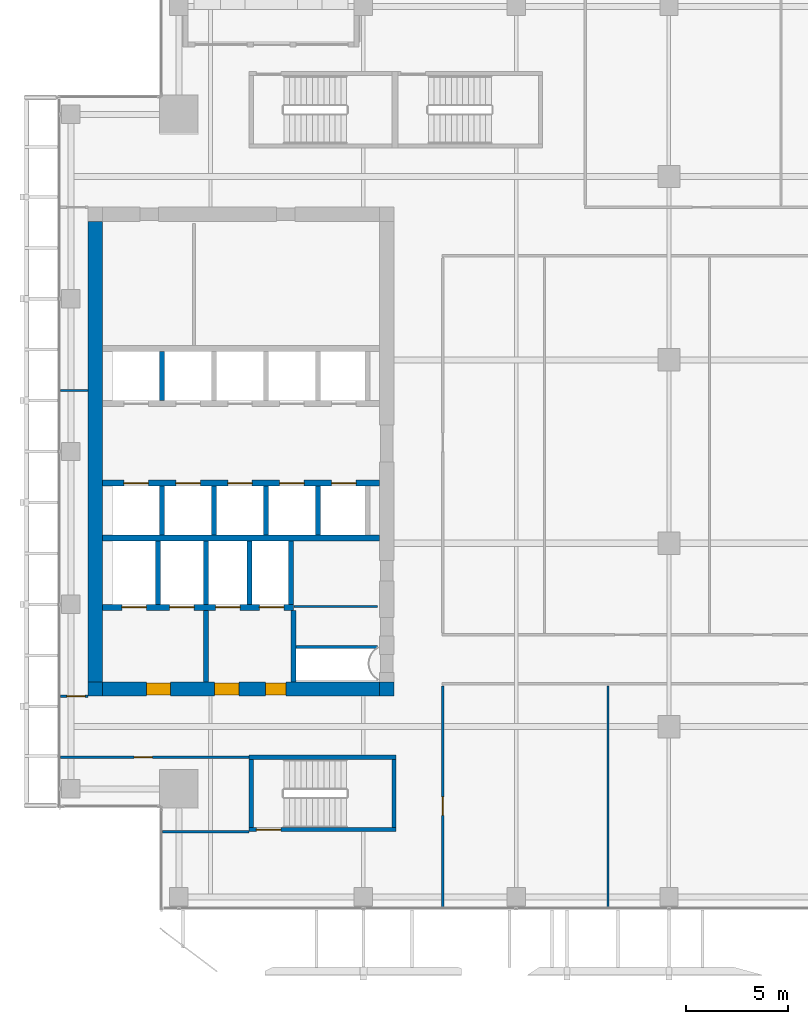
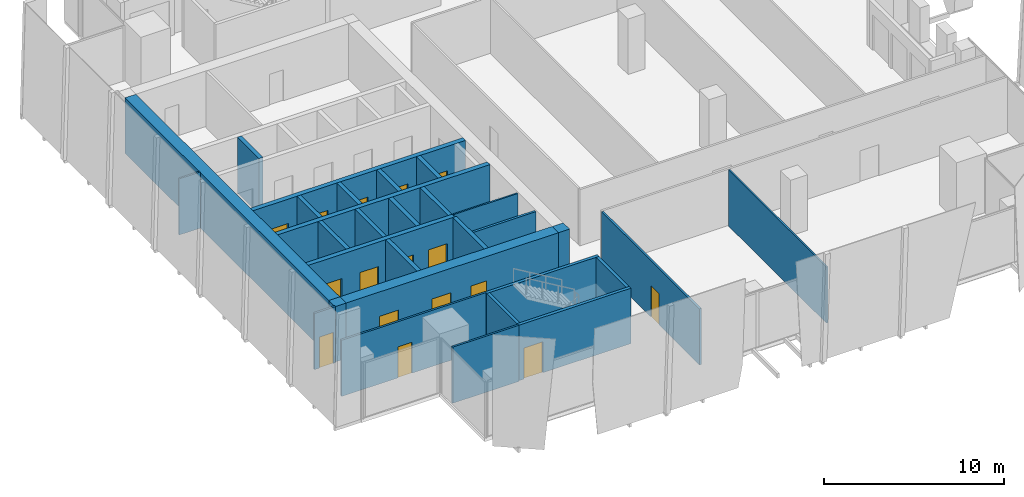
# One storey, part 28 of 35: 30 walls, 16 doors, 16 openings.
"""IFC4 building model written with IfcOpenShell, lengths in metres."""

from ifc_helpers import new_model, si_unit, direction, frame, frame_2d, origin, place, context, subcontext, project, spatial, rectangle, extrude, source, transform, mapped, material, layer, layer_set, type_object, element, fill, save


model = new_model("IFC4")

# Units and contexts
model_context = context("Model", 3, precision=1e-05, world=origin(), true_north=direction((0.0, 1.0)))
body_context = subcontext(model_context, "Body", "Model", "MODEL_VIEW")
ifc_project = project(units=[si_unit("LENGTHUNIT", "METRE"), si_unit("AREAUNIT", "SQUARE_METRE"), si_unit("VOLUMEUNIT", "CUBIC_METRE"), si_unit("PLANEANGLEUNIT", "RADIAN"), si_unit("MASSUNIT", "GRAM", prefix="KILO")], contexts=[model_context])

# Site, building, storey
site_placement = place(None, origin())
site = spatial("IfcSite", under=ifc_project, at=site_placement, CompositionType="ELEMENT")
building_placement = place(site_placement, origin())
building = spatial("IfcBuilding", under=site, at=building_placement, Name="Khomas Fold Tower", CompositionType="ELEMENT")
storey_placement = place(building_placement, frame((0.0, 0.0, 258.199951171875)))
storey = spatial("IfcBuildingStorey", under=building, at=storey_placement, Name="L58", CompositionType="ELEMENT", Elevation=258.199951171875)

# Wall
ifc_material_1 = material(Name="Concrete C50/60", Category="concrete")
ifc_layer_1 = layer(ifc_material_1, 0.199951171875)
ifc_layer_set_1 = layer_set([ifc_layer_1], Name="Concrete C50/60")
wall_type_1 = type_object("IfcWallType", Name="Stair wall 200", PredefinedType="SHEAR", material=ifc_layer_set_1)
shared_shape_1 = source(origin(), body_context, "Body", "SweptSolid", [
    extrude(rectangle(XDim=7.2001953125, YDim=0.199951171875, at=frame_2d((3.60009765625, 0.0))), origin(), (0.0, 0.0, 1.0), 3.75),
])
wall_1_placement = place(storey_placement, frame((13.89990234375, 12.0, 0.0), z_axis=(0.0, 0.0, 1.0), x_axis=(1.0, 0.0, 0.0)))
element("IfcWall", 1, at=wall_1_placement, inside=storey, type_object=wall_type_1, Name="Stair wall SW-ST2-NH", PredefinedType="SHEAR", context=body_context, shape_type="MappedRepresentation", body=[
    mapped(shared_shape_1, transform((0.0, 0.0, 0.0))),
])

# Wall, opening, door
wall_2_placement = place(storey_placement, frame((13.89990234375, 8.449951171875, 0.0), z_axis=(0.0, 0.0, 1.0), x_axis=(1.0, 0.0, 0.0)))
wall_2 = element("IfcWall", 2, at=wall_2_placement, inside=storey, type_object=wall_type_1, Name="Stair wall SW-ST2-S", PredefinedType="SHEAR", context=body_context, shape_type="MappedRepresentation", body=[
    mapped(shared_shape_1, transform((0.0, 0.0, 0.0))),
])
shared_shape_2 = source(origin(), body_context, "Body", "SweptSolid", [
    extrude(rectangle(XDim=1.199951171875, YDim=2.10009765625, at=frame_2d((0.60009765625, 1.050048828125))), frame((0.0, 0.10986328125, 0.0), z_axis=(0.0, -1.0, 0.0), x_axis=(1.0, 0.0, 0.0)), (0.0, 0.0, 1.0), 0.219970703125),
])
opening_1_placement = place(wall_2_placement, frame((0.35009765625, 0.0, 0.0)))
opening_1 = element("IfcOpeningElement", 3, at=opening_1_placement, cuts=wall_2, Name="Opening SD-ST2", PredefinedType="OPENING", context=body_context, shape_type="MappedRepresentation", body=[
    mapped(shared_shape_2, transform((0.0, 0.0, 0.0))),
])
ifc_material_2 = material(Name="Steel door leaf", Category="steel")
door_type_1 = type_object("IfcDoorType", Name="Stair door 1200x2100 right-hand", OperationType="SINGLE_SWING_RIGHT", PredefinedType="DOOR", material=ifc_material_2)
shared_shape_3 = source(origin(), body_context, "Body", "SweptSolid", [
    extrude(rectangle(XDim=1.199951171875, YDim=2.10009765625, at=frame_2d((0.60009765625, 1.050048828125))), frame((0.0, 0.02490234375, 0.0), z_axis=(0.0, -1.0, 0.0), x_axis=(1.0, 0.0, 0.0)), (0.0, 0.0, 1.0), 0.050048828125),
])
door_1_placement = place(opening_1_placement, origin())
door_1 = element("IfcDoor", 4, at=door_1_placement, inside=storey, type_object=door_type_1, Name="Stair door", OperationType="SINGLE_SWING_RIGHT", OverallHeight=2.10009765625, OverallWidth=1.199951171875, PredefinedType="DOOR", context=body_context, shape_type="MappedRepresentation", body=[
    mapped(shared_shape_3, transform((0.0, 0.0, 0.0))),
])
fill(opening_1, door_1)

# Walls
shared_shape_4 = source(origin(), body_context, "Body", "SweptSolid", [
    extrude(rectangle(XDim=3.349853515625, YDim=0.199951171875, at=frame_2d((1.6748046875, 0.0))), origin(), (0.0, 0.0, 1.0), 3.75),
])
for number, where, z_axis, x_axis, name in (
    (5, (21.0, 8.550048828125, 0.0), (0.0, 0.0, 1.0), (0.0, 1.0, 0.0), "Stair wall SW-ST2-E"),
    (6, (14.0, 8.550048828125, 0.0), (0.0, 0.0, 1.0), (0.0, 1.0, 0.0), "Stair wall SW-ST2-W"),
):
    element("IfcWall", number, at=place(storey_placement, frame(where, z_axis=z_axis, x_axis=x_axis)), inside=storey, type_object=wall_type_1, Name=name, PredefinedType="SHEAR", context=body_context, shape_type="MappedRepresentation", body=[
        mapped(shared_shape_4, transform((0.0, 0.0, 0.0))),
    ])
ifc_material_3 = material(Name="Concrete C50/60", Category="concrete")
ifc_layer_2 = layer(ifc_material_3, 0.25)
ifc_layer_set_2 = layer_set([ifc_layer_2], Name="Concrete C50/60")
wall_type_2 = type_object("IfcWallType", Name="Shaft wall 250", PredefinedType="STANDARD", material=ifc_layer_set_2)
shared_shape_5 = source(origin(), body_context, "Body", "SweptSolid", [
    extrude(rectangle(XDim=3.10009765625, YDim=0.25, at=frame_2d((1.550048828125, 0.0))), origin(), (0.0, 0.0, 1.0), 3.75),
])
for number, where, z_axis, x_axis, name in (
    (7, (9.425048828125, 19.5, 0.0), (0.0, 0.0, 1.0), (0.0, 1.0, 0.0), "Core wall SW-FS-P1"),
    (8, (11.77490234375, 19.5, 0.0), (0.0, 0.0, 1.0), (0.0, 1.0, 0.0), "Core wall SW-FS-P2"),
    (9, (13.925048828125, 19.5, 0.0), (0.0, 0.0, 1.0), (0.0, 1.0, 0.0), "Core wall SW-FS-P3"),
    (10, (15.949951171875, 19.5, 0.0), (0.0, 0.0, 1.0), (0.0, 1.0, 0.0), "Core wall SW-FS-PE"),
):
    element("IfcWall", number, at=place(storey_placement, frame(where, z_axis=z_axis, x_axis=x_axis)), inside=storey, type_object=wall_type_2, Name=name, PredefinedType="STANDARD", context=body_context, shape_type="MappedRepresentation", body=[
        mapped(shared_shape_5, transform((0.0, 0.0, 0.0))),
    ])
shared_shape_6 = source(origin(), body_context, "Body", "SweptSolid", [
    extrude(rectangle(XDim=2.39990234375, YDim=0.25, at=frame_2d((1.199951171875, 0.0))), origin(), (0.0, 0.0, 1.0), 3.75),
])
wall_3_placement = place(storey_placement, frame((9.625, 29.5, 0.0), z_axis=(0.0, 0.0, 1.0), x_axis=(0.0, 1.0, 0.0)))
element("IfcWall", 11, at=wall_3_placement, inside=storey, type_object=wall_type_2, Name="Core wall SW-HRN-P1", PredefinedType="STANDARD", context=body_context, shape_type="MappedRepresentation", body=[
    mapped(shared_shape_6, transform((0.0, 0.0, 0.0))),
])
shared_shape_7 = source(origin(), body_context, "Body", "SweptSolid", [
    extrude(rectangle(XDim=2.400146484375, YDim=0.25, at=frame_2d((1.2001953125, 0.0))), origin(), (0.0, 0.0, 1.0), 3.75),
])
for number, where, z_axis, x_axis, name in (
    (12, (17.27490234375, 22.89990234375, 0.0), (0.0, 0.0, 1.0), (0.0, 1.0, 0.0), "Core wall SW-HRS-MR-P1"),
    (13, (9.625, 22.89990234375, 0.0), (0.0, 0.0, 1.0), (0.0, 1.0, 0.0), "Core wall SW-HRS-P1"),
    (14, (12.175048828125, 22.89990234375, 0.0), (0.0, 0.0, 1.0), (0.0, 1.0, 0.0), "Core wall SW-HRS-P2"),
    (15, (14.72509765625, 22.89990234375, 0.0), (0.0, 0.0, 1.0), (0.0, 1.0, 0.0), "Core wall SW-HRS-PE"),
):
    element("IfcWall", number, at=place(storey_placement, frame(where, z_axis=z_axis, x_axis=x_axis)), inside=storey, type_object=wall_type_2, Name=name, PredefinedType="STANDARD", context=body_context, shape_type="MappedRepresentation", body=[
        mapped(shared_shape_7, transform((0.0, 0.0, 0.0))),
    ])

# Wall, openings, doors
ifc_material_4 = material(Name="Concrete C60/75", Category="concrete")
ifc_layer_3 = layer(ifc_material_4, 0.699951171875)
ifc_layer_set_3 = layer_set([ifc_layer_3], Name="Concrete C60/75")
wall_type_3 = type_object("IfcWallType", Name="Core wall 700", PredefinedType="SHEAR", material=ifc_layer_set_3)
shared_shape_8 = source(origin(), body_context, "Body", "SweptSolid", [
    extrude(rectangle(XDim=13.60009765625, YDim=0.699951171875, at=frame_2d((6.800048828125, 0.0))), origin(), (0.0, 0.0, 1.0), 3.75),
])
wall_4_placement = place(storey_placement, frame((6.699951171875, 15.35009765625, 0.0), z_axis=(0.0, 0.0, 1.0), x_axis=(1.0, 0.0, 0.0)))
wall_4 = element("IfcWall", 16, at=wall_4_placement, inside=storey, type_object=wall_type_3, Name="Core wall CW-U-S-L49", PredefinedType="SHEAR", context=body_context, shape_type="MappedRepresentation", body=[
    mapped(shared_shape_8, transform((0.0, 0.0, 0.0))),
])
shared_shape_9 = source(origin(), body_context, "Body", "SweptSolid", [
    extrude(rectangle(XDim=1.199951171875, YDim=2.10009765625, at=frame_2d((0.60009765625, 1.050048828125))), frame((0.0, 0.35986328125, 0.0), z_axis=(0.0, -1.0, 0.0), x_axis=(1.0, 0.0, 0.0)), (0.0, 0.0, 1.0), 0.719970703125),
])
opening_2_placement = place(wall_4_placement, frame((5.5, 0.0, 0.0)))
opening_2 = element("IfcOpeningElement", 17, at=opening_2_placement, cuts=wall_4, Name="Opening 0009", PredefinedType="OPENING", context=body_context, shape_type="MappedRepresentation", body=[
    mapped(shared_shape_9, transform((0.0, 0.0, 0.0))),
])
opening_3_placement = place(wall_4_placement, frame((2.14990234375, 0.0, 0.0)))
opening_3 = element("IfcOpeningElement", 18, at=opening_3_placement, cuts=wall_4, Name="Opening 0009", PredefinedType="OPENING", context=body_context, shape_type="MappedRepresentation", body=[
    mapped(shared_shape_9, transform((0.0, 0.0, 0.0))),
])
shared_shape_10 = source(origin(), body_context, "Body", "SweptSolid", [
    extrude(rectangle(XDim=1.0, YDim=2.10009765625, at=frame_2d((0.5, 1.050048828125))), frame((0.0, 0.35986328125, 0.0), z_axis=(0.0, -1.0, 0.0), x_axis=(1.0, 0.0, 0.0)), (0.0, 0.0, 1.0), 0.719970703125),
])
opening_4_placement = place(wall_4_placement, frame((8.0, 0.0, 0.0)))
opening_4 = element("IfcOpeningElement", 19, at=opening_4_placement, cuts=wall_4, Name="Opening 0010", PredefinedType="OPENING", context=body_context, shape_type="MappedRepresentation", body=[
    mapped(shared_shape_10, transform((0.0, 0.0, 0.0))),
])
ifc_material_5 = material(Name="Steel door leaf", Category="steel")
door_type_2 = type_object("IfcDoorType", Name="Lobby door 1200x2100 right-hand", OperationType="SINGLE_SWING_RIGHT", PredefinedType="DOOR", material=ifc_material_5)
shared_shape_11 = source(origin(), body_context, "Body", "SweptSolid", [
    extrude(rectangle(XDim=1.199951171875, YDim=2.10009765625, at=frame_2d((0.60009765625, 1.050048828125))), frame((0.0, 0.2998046875, 0.0), z_axis=(0.0, -1.0, 0.0), x_axis=(1.0, 0.0, 0.0)), (0.0, 0.0, 1.0), 0.599853515625),
])
door_2_placement = place(opening_2_placement, origin())
door_2 = element("IfcDoor", 20, at=door_2_placement, inside=storey, type_object=door_type_2, Name="Lobby door", OperationType="SINGLE_SWING_RIGHT", OverallHeight=2.10009765625, OverallWidth=1.199951171875, PredefinedType="DOOR", context=body_context, shape_type="MappedRepresentation", body=[
    mapped(shared_shape_11, transform((0.0, 0.0, 0.0))),
])
fill(opening_2, door_2)
door_3_placement = place(opening_3_placement, origin())
door_3 = element("IfcDoor", 21, at=door_3_placement, inside=storey, type_object=door_type_2, Name="Lobby door", OperationType="SINGLE_SWING_RIGHT", OverallHeight=2.10009765625, OverallWidth=1.199951171875, PredefinedType="DOOR", context=body_context, shape_type="MappedRepresentation", body=[
    mapped(shared_shape_11, transform((0.0, 0.0, 0.0))),
])
fill(opening_3, door_3)
ifc_material_6 = material(Name="Steel door leaf", Category="steel")
door_type_3 = type_object("IfcDoorType", Name="Stair door 1000x2100 right-hand", OperationType="SINGLE_SWING_RIGHT", PredefinedType="DOOR", material=ifc_material_6)
shared_shape_12 = source(origin(), body_context, "Body", "SweptSolid", [
    extrude(rectangle(XDim=1.0, YDim=2.10009765625, at=frame_2d((0.5, 1.050048828125))), frame((0.0, 0.2998046875, 0.0), z_axis=(0.0, -1.0, 0.0), x_axis=(1.0, 0.0, 0.0)), (0.0, 0.0, 1.0), 0.599853515625),
])
door_4_placement = place(opening_4_placement, origin())
door_4 = element("IfcDoor", 22, at=door_4_placement, inside=storey, type_object=door_type_3, Name="Stair door", OperationType="SINGLE_SWING_RIGHT", OverallHeight=2.10009765625, OverallWidth=1.0, PredefinedType="DOOR", context=body_context, shape_type="MappedRepresentation", body=[
    mapped(shared_shape_12, transform((0.0, 0.0, 0.0))),
])
fill(opening_4, door_4)

# Walls
ifc_material_7 = material(Name="Concrete C60/75", Category="concrete")
ifc_layer_4 = layer(ifc_material_7, 0.699951171875)
ifc_layer_set_4 = layer_set([ifc_layer_4], Name="Concrete C60/75")
wall_type_4 = type_object("IfcWallType", Name="Core corner wall 700", PredefinedType="SHEAR", material=ifc_layer_set_4)
shared_shape_13 = source(origin(), body_context, "Body", "SweptSolid", [
    extrude(rectangle(XDim=0.699951171875, YDim=0.699951171875, at=frame_2d((0.35009765625, 0.0))), origin(), (0.0, 0.0, 1.0), 3.75),
])
for number, where, z_axis, x_axis, name in (
    (23, (20.300048828125, 15.35009765625, 0.0), (0.0, 0.0, 1.0), (1.0, 0.0, 0.0), "Core wall CW-U-SE-L49"),
    (24, (6.0, 15.35009765625, 0.0), (0.0, 0.0, 1.0), (1.0, 0.0, 0.0), "Core wall CW-U-SW-L49"),
):
    element("IfcWall", number, at=place(storey_placement, frame(where, z_axis=z_axis, x_axis=x_axis)), inside=storey, type_object=wall_type_4, Name=name, PredefinedType="SHEAR", context=body_context, shape_type="MappedRepresentation", body=[
        mapped(shared_shape_13, transform((0.0, 0.0, 0.0))),
    ])
shared_shape_14 = source(origin(), body_context, "Body", "SweptSolid", [
    extrude(rectangle(XDim=22.60009765625, YDim=0.699951171875, at=frame_2d((11.300048828125, 0.0))), origin(), (0.0, 0.0, 1.0), 3.75),
])
wall_5_placement = place(storey_placement, frame((6.35009765625, 15.699951171875, 0.0), z_axis=(0.0, 0.0, 1.0), x_axis=(0.0, 1.0, 0.0)))
element("IfcWall", 25, at=wall_5_placement, inside=storey, type_object=wall_type_3, Name="Core wall CW-U-W-L49", PredefinedType="SHEAR", context=body_context, shape_type="MappedRepresentation", body=[
    mapped(shared_shape_14, transform((0.0, 0.0, 0.0))),
])
ifc_material_8 = material(Name="Concrete C50/60", Category="concrete")
ifc_layer_5 = layer(ifc_material_8, 0.300048828125)
ifc_layer_set_5 = layer_set([ifc_layer_5], Name="Concrete C50/60")
wall_type_5 = type_object("IfcWallType", Name="Shaft wall 300", PredefinedType="STANDARD", material=ifc_layer_set_5)
shared_shape_15 = source(origin(), body_context, "Body", "SweptSolid", [
    extrude(rectangle(XDim=13.60009765625, YDim=0.300048828125, at=frame_2d((6.800048828125, 0.0))), origin(), (0.0, 0.0, 1.0), 3.75),
])
wall_6_placement = place(storey_placement, frame((6.699951171875, 22.75, 0.0), z_axis=(0.0, 0.0, 1.0), x_axis=(1.0, 0.0, 0.0)))
element("IfcWall", 26, at=wall_6_placement, inside=storey, type_object=wall_type_5, Name="Core wall SW-FS-B", PredefinedType="STANDARD", context=body_context, shape_type="MappedRepresentation", body=[
    mapped(shared_shape_15, transform((0.0, 0.0, 0.0))),
])

# Wall, openings, doors
wall_7_placement = place(storey_placement, frame((6.699951171875, 25.449951171875, 0.0), z_axis=(0.0, 0.0, 1.0), x_axis=(1.0, 0.0, 0.0)))
wall_7 = element("IfcWall", 27, at=wall_7_placement, inside=storey, type_object=wall_type_5, Name="Core wall SW-HRS-F", PredefinedType="STANDARD", context=body_context, shape_type="MappedRepresentation", body=[
    mapped(shared_shape_15, transform((0.0, 0.0, 0.0))),
])
shared_shape_16 = source(origin(), body_context, "Body", "SweptSolid", [
    extrude(rectangle(XDim=1.199951171875, YDim=2.10009765625, at=frame_2d((0.60009765625, 1.050048828125))), frame((0.0, 0.159912109375, 0.0), z_axis=(0.0, -1.0, 0.0), x_axis=(1.0, 0.0, 0.0)), (0.0, 0.0, 1.0), 0.320068359375),
])
opening_5_placement = place(wall_7_placement, frame((1.050048828125, 0.0, 0.0)))
opening_5 = element("IfcOpeningElement", 28, at=opening_5_placement, cuts=wall_7, Name="Opening LD-HR1", PredefinedType="OPENING", context=body_context, shape_type="MappedRepresentation", body=[
    mapped(shared_shape_16, transform((0.0, 0.0, 0.0))),
])
opening_6_placement = place(wall_7_placement, frame((3.60009765625, 0.0, 0.0)))
opening_6 = element("IfcOpeningElement", 29, at=opening_6_placement, cuts=wall_7, Name="Opening LD-HR2", PredefinedType="OPENING", context=body_context, shape_type="MappedRepresentation", body=[
    mapped(shared_shape_16, transform((0.0, 0.0, 0.0))),
])
opening_7_placement = place(wall_7_placement, frame((6.14990234375, 0.0, 0.0)))
opening_7 = element("IfcOpeningElement", 30, at=opening_7_placement, cuts=wall_7, Name="Opening LD-HR3", PredefinedType="OPENING", context=body_context, shape_type="MappedRepresentation", body=[
    mapped(shared_shape_16, transform((0.0, 0.0, 0.0))),
])
opening_8_placement = place(wall_7_placement, frame((8.699951171875, 0.0, 0.0)))
opening_8 = element("IfcOpeningElement", 31, at=opening_8_placement, cuts=wall_7, Name="Opening LD-MR1", PredefinedType="OPENING", context=body_context, shape_type="MappedRepresentation", body=[
    mapped(shared_shape_16, transform((0.0, 0.0, 0.0))),
])
opening_9_placement = place(wall_7_placement, frame((11.25, 0.0, 0.0)))
opening_9 = element("IfcOpeningElement", 32, at=opening_9_placement, cuts=wall_7, Name="Opening LD-MR2", PredefinedType="OPENING", context=body_context, shape_type="MappedRepresentation", body=[
    mapped(shared_shape_16, transform((0.0, 0.0, 0.0))),
])
ifc_material_9 = material(Name="Steel door leaf", Category="steel")
door_type_4 = type_object("IfcDoorType", Name="Landing door 1200x2100", OperationType="DOUBLE_DOOR_SLIDING", PredefinedType="DOOR", material=ifc_material_9)
door_5_placement = place(opening_5_placement, origin())
door_5 = element("IfcDoor", 33, at=door_5_placement, inside=storey, type_object=door_type_4, Name="Lift landing door", OperationType="DOUBLE_DOOR_SLIDING", OverallHeight=2.10009765625, OverallWidth=1.199951171875, PredefinedType="DOOR", context=body_context, shape_type="MappedRepresentation", body=[
    mapped(shared_shape_3, transform((0.0, 0.0, 0.0))),
])
fill(opening_5, door_5)
door_6_placement = place(opening_6_placement, origin())
door_6 = element("IfcDoor", 34, at=door_6_placement, inside=storey, type_object=door_type_4, Name="Lift landing door", OperationType="DOUBLE_DOOR_SLIDING", OverallHeight=2.10009765625, OverallWidth=1.199951171875, PredefinedType="DOOR", context=body_context, shape_type="MappedRepresentation", body=[
    mapped(shared_shape_3, transform((0.0, 0.0, 0.0))),
])
fill(opening_6, door_6)
door_7_placement = place(opening_7_placement, origin())
door_7 = element("IfcDoor", 35, at=door_7_placement, inside=storey, type_object=door_type_4, Name="Lift landing door", OperationType="DOUBLE_DOOR_SLIDING", OverallHeight=2.10009765625, OverallWidth=1.199951171875, PredefinedType="DOOR", context=body_context, shape_type="MappedRepresentation", body=[
    mapped(shared_shape_3, transform((0.0, 0.0, 0.0))),
])
fill(opening_7, door_7)
door_8_placement = place(opening_8_placement, origin())
door_8 = element("IfcDoor", 36, at=door_8_placement, inside=storey, type_object=door_type_4, Name="Lift landing door", OperationType="DOUBLE_DOOR_SLIDING", OverallHeight=2.10009765625, OverallWidth=1.199951171875, PredefinedType="DOOR", context=body_context, shape_type="MappedRepresentation", body=[
    mapped(shared_shape_3, transform((0.0, 0.0, 0.0))),
])
fill(opening_8, door_8)
door_9_placement = place(opening_9_placement, origin())
door_9 = element("IfcDoor", 37, at=door_9_placement, inside=storey, type_object=door_type_4, Name="Lift landing door", OperationType="DOUBLE_DOOR_SLIDING", OverallHeight=2.10009765625, OverallWidth=1.199951171875, PredefinedType="DOOR", context=body_context, shape_type="MappedRepresentation", body=[
    mapped(shared_shape_3, transform((0.0, 0.0, 0.0))),
])
fill(opening_9, door_9)

shared_shape_17 = source(origin(), body_context, "Body", "SweptSolid", [
    extrude(rectangle(XDim=9.375, YDim=0.300048828125, at=frame_2d((4.6875, 0.0))), origin(), (0.0, 0.0, 1.0), 3.75),
])
wall_8_placement = place(storey_placement, frame((6.699951171875, 19.35009765625, 0.0), z_axis=(0.0, 0.0, 1.0), x_axis=(1.0, 0.0, 0.0)))
wall_8 = element("IfcWall", 38, at=wall_8_placement, inside=storey, type_object=wall_type_5, Name="Core wall SW-FS-F", PredefinedType="STANDARD", context=body_context, shape_type="MappedRepresentation", body=[
    mapped(shared_shape_17, transform((0.0, 0.0, 0.0))),
])
opening_10_placement = place(wall_8_placement, frame((0.949951171875, 0.0, 0.0)))
opening_10 = element("IfcOpeningElement", 39, at=opening_10_placement, cuts=wall_8, Name="Opening LD-SV1", PredefinedType="OPENING", context=body_context, shape_type="MappedRepresentation", body=[
    mapped(shared_shape_16, transform((0.0, 0.0, 0.0))),
])
opening_11_placement = place(wall_8_placement, frame((3.300048828125, 0.0, 0.0)))
opening_11 = element("IfcOpeningElement", 40, at=opening_11_placement, cuts=wall_8, Name="Opening LD-SV2", PredefinedType="OPENING", context=body_context, shape_type="MappedRepresentation", body=[
    mapped(shared_shape_16, transform((0.0, 0.0, 0.0))),
])
opening_12_placement = place(wall_8_placement, frame((5.550048828125, 0.0, 0.0)))
opening_12 = element("IfcOpeningElement", 41, at=opening_12_placement, cuts=wall_8, Name="Opening LD-FF1", PredefinedType="OPENING", context=body_context, shape_type="MappedRepresentation", body=[
    mapped(shared_shape_16, transform((0.0, 0.0, 0.0))),
])
opening_13_placement = place(wall_8_placement, frame((7.699951171875, 0.0, 0.0)))
opening_13 = element("IfcOpeningElement", 42, at=opening_13_placement, cuts=wall_8, Name="Opening LD-FF2", PredefinedType="OPENING", context=body_context, shape_type="MappedRepresentation", body=[
    mapped(shared_shape_16, transform((0.0, 0.0, 0.0))),
])
door_10_placement = place(opening_10_placement, origin())
door_10 = element("IfcDoor", 43, at=door_10_placement, inside=storey, type_object=door_type_4, Name="Lift landing door", OperationType="DOUBLE_DOOR_SLIDING", OverallHeight=2.10009765625, OverallWidth=1.199951171875, PredefinedType="DOOR", context=body_context, shape_type="MappedRepresentation", body=[
    mapped(shared_shape_3, transform((0.0, 0.0, 0.0))),
])
fill(opening_10, door_10)
door_11_placement = place(opening_11_placement, origin())
door_11 = element("IfcDoor", 44, at=door_11_placement, inside=storey, type_object=door_type_4, Name="Lift landing door", OperationType="DOUBLE_DOOR_SLIDING", OverallHeight=2.10009765625, OverallWidth=1.199951171875, PredefinedType="DOOR", context=body_context, shape_type="MappedRepresentation", body=[
    mapped(shared_shape_3, transform((0.0, 0.0, 0.0))),
])
fill(opening_11, door_11)
door_12_placement = place(opening_12_placement, origin())
door_12 = element("IfcDoor", 45, at=door_12_placement, inside=storey, type_object=door_type_4, Name="Lift landing door", OperationType="DOUBLE_DOOR_SLIDING", OverallHeight=2.10009765625, OverallWidth=1.199951171875, PredefinedType="DOOR", context=body_context, shape_type="MappedRepresentation", body=[
    mapped(shared_shape_3, transform((0.0, 0.0, 0.0))),
])
fill(opening_12, door_12)
door_13_placement = place(opening_13_placement, origin())
door_13 = element("IfcDoor", 46, at=door_13_placement, inside=storey, type_object=door_type_4, Name="Lift landing door", OperationType="DOUBLE_DOOR_SLIDING", OverallHeight=2.10009765625, OverallWidth=1.199951171875, PredefinedType="DOOR", context=body_context, shape_type="MappedRepresentation", body=[
    mapped(shared_shape_3, transform((0.0, 0.0, 0.0))),
])
fill(opening_13, door_13)

# Walls
ifc_material_10 = material(Name="Concrete C50/60", Category="concrete")
ifc_layer_6 = layer(ifc_material_10, 0.25)
ifc_layer_set_6 = layer_set([ifc_layer_6], Name="Concrete C50/60")
wall_type_6 = type_object("IfcWallType", Name="Lobby wall 250", PredefinedType="STANDARD", material=ifc_layer_set_6)
shared_shape_18 = source(origin(), body_context, "Body", "SweptSolid", [
    extrude(rectangle(XDim=3.5, YDim=0.25, at=frame_2d((1.75, 0.0))), origin(), (0.0, 0.0, 1.0), 3.75),
])
for number, where, z_axis, x_axis, name in (
    (47, (16.074951171875, 15.699951171875, 0.0), (0.0, 0.0, 1.0), (0.0, 1.0, 0.0), "Core wall SW-FS-LOB-E"),
    (48, (11.77490234375, 15.699951171875, 0.0), (0.0, 0.0, 1.0), (0.0, 1.0, 0.0), "Core wall SW-FS-SEP"),
):
    element("IfcWall", number, at=place(storey_placement, frame(where, z_axis=z_axis, x_axis=x_axis)), inside=storey, type_object=wall_type_6, Name=name, PredefinedType="STANDARD", context=body_context, shape_type="MappedRepresentation", body=[
        mapped(shared_shape_18, transform((0.0, 0.0, 0.0))),
    ])
ifc_material_11 = material(Name="Plasterboard fire partition")
ifc_layer_7 = layer(ifc_material_11, 0.14990234375)
ifc_layer_set_7 = layer_set([ifc_layer_7], Name="Plasterboard fire partition")
wall_type_7 = type_object("IfcWallType", Name="Plant room wall PW3 150", PredefinedType="PARTITIONING", material=ifc_layer_set_7)
shared_shape_19 = source(origin(), body_context, "Body", "SweptSolid", [
    extrude(rectangle(XDim=4.0, YDim=0.14990234375, at=frame_2d((2.0, 0.0))), origin(), (0.0, 0.0, 1.0), 3.800048828125),
])
wall_9_placement = place(storey_placement, frame((16.199951171875, 17.39990234375, 0.0), z_axis=(0.0, 0.0, 1.0), x_axis=(1.0, 0.0, 0.0)))
element("IfcWall", 49, at=wall_9_placement, inside=storey, type_object=wall_type_7, Name="Plant room wall", PredefinedType="PARTITIONING", context=body_context, shape_type="MappedRepresentation", body=[
    mapped(shared_shape_19, transform((0.0, 0.0, 0.0))),
])
ifc_material_12 = material(Name="Plasterboard partition")
ifc_layer_8 = layer(ifc_material_12, 0.10009765625)
ifc_layer_set_8 = layer_set([ifc_layer_8], Name="Plasterboard partition")
wall_type_8 = type_object("IfcWallType", Name="Partition PW1 100", PredefinedType="PARTITIONING", material=ifc_layer_set_8)
shared_shape_20 = source(origin(), body_context, "Body", "SweptSolid", [
    extrude(rectangle(XDim=4.099853515625, YDim=0.10009765625, at=frame_2d((2.0498046875, 0.0))), origin(), (0.0, 0.0, 1.0), 3.800048828125),
])
wall_10_placement = place(storey_placement, frame((16.10009765625, 19.39990234375, 0.0), z_axis=(0.0, 0.0, 1.0), x_axis=(1.0, 0.0, 0.0)))
element("IfcWall", 50, at=wall_10_placement, inside=storey, type_object=wall_type_8, Name="Partition", PredefinedType="PARTITIONING", context=body_context, shape_type="MappedRepresentation", body=[
    mapped(shared_shape_20, transform((0.0, 0.0, 0.0))),
])

# Wall, opening, door
ifc_material_13 = material(Name="Plasterboard partition")
ifc_layer_9 = layer(ifc_material_13, 0.125)
ifc_layer_set_9 = layer_set([ifc_layer_9], Name="Plasterboard partition")
wall_type_9 = type_object("IfcWallType", Name="Partition PW2 125", PredefinedType="PARTITIONING", material=ifc_layer_set_9)
shared_shape_21 = source(origin(), body_context, "Body", "SweptSolid", [
    extrude(rectangle(XDim=9.25, YDim=0.125, at=frame_2d((4.625, 0.0))), origin(), (0.0, 0.0, 1.0), 3.800048828125),
])
wall_11_placement = place(storey_placement, frame((4.64990234375, 12.0, 0.0), z_axis=(0.0, 0.0, 1.0), x_axis=(1.0, 0.0, 0.0)))
wall_11 = element("IfcWall", 51, at=wall_11_placement, inside=storey, type_object=wall_type_9, Name="Partition", PredefinedType="PARTITIONING", context=body_context, shape_type="MappedRepresentation", body=[
    mapped(shared_shape_21, transform((0.0, 0.0, 0.0))),
])
shared_shape_22 = source(origin(), body_context, "Body", "SweptSolid", [
    extrude(rectangle(XDim=0.89990234375, YDim=2.10009765625, at=frame_2d((0.449951171875, 1.050048828125))), frame((0.0, 0.072509765625, 0.0), z_axis=(0.0, -1.0, 0.0), x_axis=(1.0, 0.0, 0.0)), (0.0, 0.0, 1.0), 0.14501953125),
])
opening_14_placement = place(wall_11_placement, frame((3.60009765625, 0.0, 0.0)))
opening_14 = element("IfcOpeningElement", 52, at=opening_14_placement, cuts=wall_11, Name="Opening 0007", PredefinedType="OPENING", context=body_context, shape_type="MappedRepresentation", body=[
    mapped(shared_shape_22, transform((0.0, 0.0, 0.0))),
])
ifc_material_14 = material(Name="Timber door leaf", Category="wood")
door_type_5 = type_object("IfcDoorType", Name="Door 900x2100 left-hand", OperationType="SINGLE_SWING_LEFT", PredefinedType="DOOR", material=ifc_material_14)
shared_shape_23 = source(origin(), body_context, "Body", "SweptSolid", [
    extrude(rectangle(XDim=0.89990234375, YDim=2.10009765625, at=frame_2d((0.449951171875, 1.050048828125))), frame((0.0, 0.02490234375, 0.0), z_axis=(0.0, -1.0, 0.0), x_axis=(1.0, 0.0, 0.0)), (0.0, 0.0, 1.0), 0.050048828125),
])
door_14_placement = place(opening_14_placement, origin())
door_14 = element("IfcDoor", 53, at=door_14_placement, inside=storey, type_object=door_type_5, Name="Door", OperationType="SINGLE_SWING_LEFT", OverallHeight=2.10009765625, OverallWidth=0.89990234375, PredefinedType="DOOR", context=body_context, shape_type="MappedRepresentation", body=[
    mapped(shared_shape_23, transform((0.0, 0.0, 0.0))),
])
fill(opening_14, door_14)

shared_shape_24 = source(origin(), body_context, "Body", "SweptSolid", [
    extrude(rectangle(XDim=10.85009765625, YDim=0.125, at=frame_2d((5.425048828125, 0.0))), origin(), (0.0, 0.0, 1.0), 3.800048828125),
])
wall_12_placement = place(storey_placement, frame((23.39990234375, 4.64990234375, 0.0), z_axis=(0.0, 0.0, 1.0), x_axis=(0.0, 1.0, 0.0)))
wall_12 = element("IfcWall", 54, at=wall_12_placement, inside=storey, type_object=wall_type_9, Name="Partition", PredefinedType="PARTITIONING", context=body_context, shape_type="MappedRepresentation", body=[
    mapped(shared_shape_24, transform((0.0, 0.0, 0.0))),
])
opening_15_placement = place(wall_12_placement, frame((4.5, 0.0, 0.0)))
opening_15 = element("IfcOpeningElement", 55, at=opening_15_placement, cuts=wall_12, Name="Opening 0007", PredefinedType="OPENING", context=body_context, shape_type="MappedRepresentation", body=[
    mapped(shared_shape_22, transform((0.0, 0.0, 0.0))),
])
door_15_placement = place(opening_15_placement, origin())
door_15 = element("IfcDoor", 56, at=door_15_placement, inside=storey, type_object=door_type_5, Name="Door", OperationType="SINGLE_SWING_LEFT", OverallHeight=2.10009765625, OverallWidth=0.89990234375, PredefinedType="DOOR", context=body_context, shape_type="MappedRepresentation", body=[
    mapped(shared_shape_23, transform((0.0, 0.0, 0.0))),
])
fill(opening_15, door_15)

# Walls
shared_shape_25 = source(origin(), body_context, "Body", "SweptSolid", [
    extrude(rectangle(XDim=10.85009765625, YDim=0.10009765625, at=frame_2d((5.425048828125, 0.0))), origin(), (0.0, 0.0, 1.0), 3.800048828125),
])
wall_13_placement = place(storey_placement, frame((31.5, 4.64990234375, 0.0), z_axis=(0.0, 0.0, 1.0), x_axis=(0.0, 1.0, 0.0)))
element("IfcWall", 57, at=wall_13_placement, inside=storey, type_object=wall_type_8, Name="Partition", PredefinedType="PARTITIONING", context=body_context, shape_type="MappedRepresentation", body=[
    mapped(shared_shape_25, transform((0.0, 0.0, 0.0))),
])
shared_shape_26 = source(origin(), body_context, "Body", "SweptSolid", [
    extrude(rectangle(XDim=4.25, YDim=0.125, at=frame_2d((2.125, 0.0))), origin(), (0.0, 0.0, 1.0), 3.800048828125),
])
wall_14_placement = place(storey_placement, frame((9.64990234375, 8.35009765625, 0.0), z_axis=(0.0, 0.0, 1.0), x_axis=(1.0, 0.0, 0.0)))
element("IfcWall", 58, at=wall_14_placement, inside=storey, type_object=wall_type_9, Name="Partition", PredefinedType="PARTITIONING", context=body_context, shape_type="MappedRepresentation", body=[
    mapped(shared_shape_26, transform((0.0, 0.0, 0.0))),
])

# Wall, opening, door
shared_shape_27 = source(origin(), body_context, "Body", "SweptSolid", [
    extrude(rectangle(XDim=1.35009765625, YDim=0.125, at=frame_2d((0.675048828125, 0.0))), origin(), (0.0, 0.0, 1.0), 3.800048828125),
])
wall_15_placement = place(storey_placement, frame((4.64990234375, 15.0, 0.0), z_axis=(0.0, 0.0, 1.0), x_axis=(1.0, 0.0, 0.0)))
wall_15 = element("IfcWall", 59, at=wall_15_placement, inside=storey, type_object=wall_type_9, Name="Partition", PredefinedType="PARTITIONING", context=body_context, shape_type="MappedRepresentation", body=[
    mapped(shared_shape_27, transform((0.0, 0.0, 0.0))),
])
opening_16_placement = place(wall_15_placement, frame((0.300048828125, 0.0, 0.0)))
opening_16 = element("IfcOpeningElement", 60, at=opening_16_placement, cuts=wall_15, Name="Opening 0007", PredefinedType="OPENING", context=body_context, shape_type="MappedRepresentation", body=[
    mapped(shared_shape_22, transform((0.0, 0.0, 0.0))),
])
door_16_placement = place(opening_16_placement, origin())
door_16 = element("IfcDoor", 61, at=door_16_placement, inside=storey, type_object=door_type_5, Name="Door", OperationType="SINGLE_SWING_LEFT", OverallHeight=2.10009765625, OverallWidth=0.89990234375, PredefinedType="DOOR", context=body_context, shape_type="MappedRepresentation", body=[
    mapped(shared_shape_23, transform((0.0, 0.0, 0.0))),
])
fill(opening_16, door_16)

# Wall
shared_shape_28 = source(origin(), body_context, "Body", "SweptSolid", [
    extrude(rectangle(XDim=1.35009765625, YDim=0.10009765625, at=frame_2d((0.675048828125, 0.0))), origin(), (0.0, 0.0, 1.0), 3.800048828125),
])
wall_16_placement = place(storey_placement, frame((4.64990234375, 30.0, 0.0), z_axis=(0.0, 0.0, 1.0), x_axis=(1.0, 0.0, 0.0)))
element("IfcWall", 62, at=wall_16_placement, inside=storey, type_object=wall_type_8, Name="Partition", PredefinedType="PARTITIONING", context=body_context, shape_type="MappedRepresentation", body=[
    mapped(shared_shape_28, transform((0.0, 0.0, 0.0))),
])

save(model, "model.ifc")
